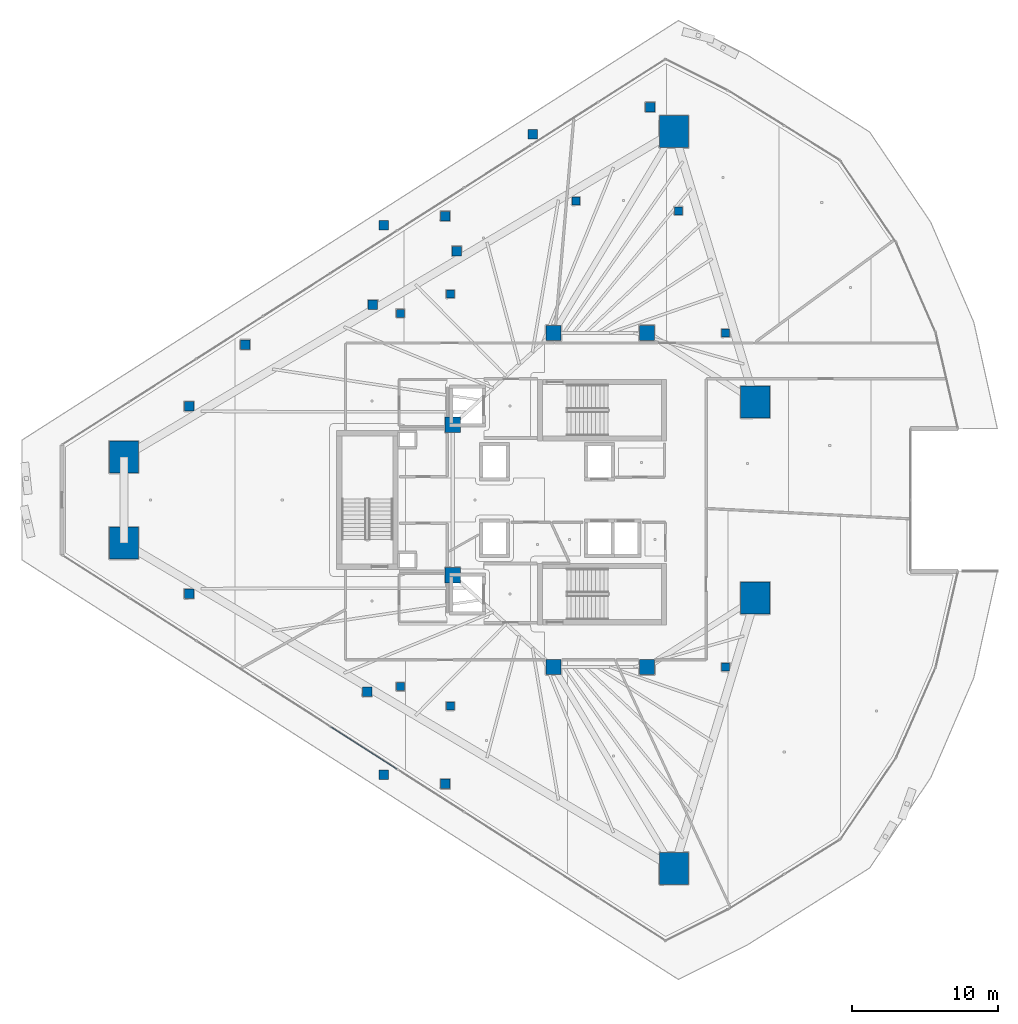
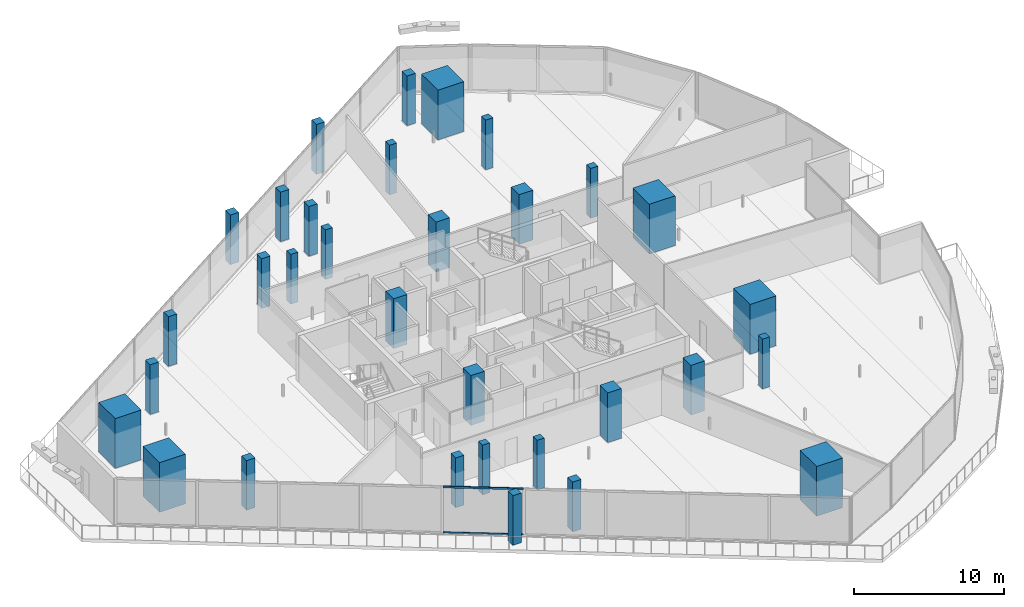
# One storey, part 1 of 38: 32 columns, 2 members, 1 element without a shape of its own.
"""IFC4 building model written with IfcOpenShell, lengths in metres."""

from ifc_helpers import new_model, si_unit, direction, frame, origin, origin_2d, place, context, subcontext, project, spatial, rectangle, hollow_rectangle, extrude, material, layer, layer_set, material_profile, profile_set, type_object, element, aggregate, save


model = new_model("IFC4")

# Units and contexts
model_context = context("Model", 3, precision=1e-05, world=origin(), true_north=direction((0.0, 1.0)))
body_context = subcontext(model_context, "Body", "Model", "MODEL_VIEW")
ifc_project = project(units=[si_unit("LENGTHUNIT", "METRE"), si_unit("AREAUNIT", "SQUARE_METRE"), si_unit("VOLUMEUNIT", "CUBIC_METRE"), si_unit("PLANEANGLEUNIT", "RADIAN"), si_unit("MASSUNIT", "GRAM", prefix="KILO")], contexts=[model_context])

# Site, building, storey
site_placement = place(None, origin())
site = spatial("IfcSite", under=ifc_project, at=site_placement, CompositionType="ELEMENT")
building_placement = place(site_placement, origin())
building = spatial("IfcBuilding", under=site, at=building_placement, Name="Qorvath Tower", CompositionType="ELEMENT")
storey_placement = place(building_placement, frame((0.0, 0.0, 134.10009765625)))
storey = spatial("IfcBuildingStorey", under=building, at=storey_placement, Name="L30", CompositionType="ELEMENT", Elevation=134.10009765625)

# Columns
ifc_material_1 = material(Name="Concrete C70/85", Category="concrete")
ifc_material_profile_1 = material_profile(ifc_material_1, rectangle(XDim=2.0, YDim=2.199951171875, at=origin_2d()), Name="MC 2200x2000")
ifc_profile_set_1 = profile_set([ifc_material_profile_1], Name="Concrete C70/85")
column_type_1 = type_object("IfcColumnType", Name="COL-MC2", PredefinedType="COLUMN", material=ifc_profile_set_1)
for number, where, z_axis, x_axis, name in (
    (1, (-53.04931640625, 2.95068359375, 0.0), (0.0, 0.0, 1.0), (1.0, 0.0, 0.0), "Composite Mega-Column MC1 L30"),
    (2, (-53.04931640625, -2.95068359375, 0.0), (0.0, 0.0, 1.0), (1.0, 0.0, 0.0), "Composite Mega-Column MC2 L30"),
    (3, (-15.34423828125, -25.24609375, 0.0), (0.0, 0.0, 1.0), (1.0, 0.0, 0.0), "Composite Mega-Column MC3 L30"),
    (4, (-9.770263671875, -6.721435546875, 0.0), (0.0, 0.0, 1.0), (1.0, 0.0, 0.0), "Composite Mega-Column MC4 L30"),
    (5, (-9.770263671875, 6.721435546875, 0.0), (0.0, 0.0, 1.0), (1.0, 0.0, 0.0), "Composite Mega-Column MC5 L30"),
    (6, (-15.34423828125, 25.24609375, 0.0), (0.0, 0.0, 1.0), (1.0, 0.0, 0.0), "Composite Mega-Column MC6 L30"),
):
    element("IfcColumn", number, at=place(storey_placement, frame(where, z_axis=z_axis, x_axis=x_axis)), inside=storey, type_object=column_type_1, Name=name, PredefinedType="COLUMN", context=body_context, shape_type="SweptSolid", body=[
        extrude(rectangle(XDim=2.0, YDim=2.199951171875, at=origin_2d()), origin(), (0.0, 0.0, 1.0), 4.0498046875),
    ])
ifc_material_2 = material(Name="Concrete C60/75", Category="concrete")
ifc_material_profile_2 = material_profile(ifc_material_2, rectangle(XDim=1.050048828125, YDim=1.050048828125, at=origin_2d()), Name="RC 1050x1050")
ifc_profile_set_2 = profile_set([ifc_material_profile_2], Name="Concrete C60/75")
column_type_2 = type_object("IfcColumnType", Name="COL-RC2", PredefinedType="COLUMN", material=ifc_profile_set_2)
for number, where, z_axis, x_axis, name in (
    (7, (-23.60009765625, 11.449951171875, 0.0), (0.0, 0.0, 1.0), (1.0, 0.0, 0.0), "Core Spine Column CC1 L30"),
    (8, (-17.199951171875, 11.449951171875, 0.0), (0.0, 0.0, 1.0), (1.0, 0.0, 0.0), "Core Spine Column CC2 L30"),
    (9, (-17.199951171875, -11.449951171875, 0.0), (0.0, 0.0, 1.0), (1.0, 0.0, 0.0), "Core Spine Column CC3 L30"),
    (10, (-23.60009765625, -11.449951171875, 0.0), (0.0, 0.0, 1.0), (1.0, 0.0, 0.0), "Core Spine Column CC4 L30"),
    (11, (-30.5, 5.14990234375, 0.0), (0.0, 0.0, 1.0), (1.0, 0.0, 0.0), "Core Spine Column CC5 L30"),
    (12, (-30.5, -5.14990234375, 0.0), (0.0, 0.0, 1.0), (1.0, 0.0, 0.0), "Core Spine Column CC6 L30"),
):
    element("IfcColumn", number, at=place(storey_placement, frame(where, z_axis=z_axis, x_axis=x_axis)), inside=storey, type_object=column_type_2, Name=name, PredefinedType="COLUMN", context=body_context, shape_type="SweptSolid", body=[
        extrude(rectangle(XDim=1.050048828125, YDim=1.050048828125, at=origin_2d()), origin(), (0.0, 0.0, 1.0), 4.0498046875),
    ])
ifc_material_3 = material(Name="Concrete C45/55", Category="concrete")
ifc_material_profile_3 = material_profile(ifc_material_3, rectangle(XDim=0.64990234375, YDim=0.64990234375, at=origin_2d()), Name="RC 650x650")
ifc_profile_set_3 = profile_set([ifc_material_profile_3], Name="Concrete C45/55")
column_type_3 = type_object("IfcColumnType", Name="COL-RC6", PredefinedType="COLUMN", material=ifc_profile_set_3)
for number, where, z_axis, x_axis, name in (
    (13, (-35.251708984375, 18.829345703125, 0.0), (0.0, 0.0, 1.0), (1.0, 0.0, 0.0), "Loggia Frame Pier Column LGC1 L30"),
    (14, (-35.251708984375, -18.829345703125, 0.0), (0.0, 0.0, 1.0), (1.0, 0.0, 0.0), "Loggia Frame Pier Column LGC2 L30"),
    (15, (-25.03759765625, 25.058837890625, 0.0), (0.0, 0.0, 1.0), (1.0, 0.0, 0.0), "Loggia Frame Pier Column LGC3 L30"),
    (16, (-31.01611328125, 19.46044921875, 0.0), (0.0, 0.0, 1.0), (1.0, 0.0, 0.0), "Loggia Frame Pier Column LGD1 L30"),
    (17, (-31.01611328125, -19.46044921875, 0.0), (0.0, 0.0, 1.0), (1.0, 0.0, 0.0), "Loggia Frame Pier Column LGD2 L30"),
    (18, (-44.736328125, 10.65234375, 0.0), (0.0, 0.0, 1.0), (1.0, 0.0, 0.0), "Loggia Frame Pier Column LGD3 L30"),
    (19, (-48.578369140625, 6.424560546875, 0.0), (0.0, 0.0, 1.0), (1.0, 0.0, 0.0), "Loggia Frame Pier Column LGE1 L30"),
    (20, (-48.578369140625, -6.424560546875, 0.0), (0.0, 0.0, 1.0), (1.0, 0.0, 0.0), "Loggia Frame Pier Column LGE2 L30"),
    (21, (-16.981201171875, 26.92919921875, 0.0), (0.0, 0.0, 1.0), (1.0, 0.0, 0.0), "Loggia Frame Pier Column LGE3 L30"),
    (22, (-35.980712890625, 13.380859375, 0.0), (0.0, 0.0, 1.0), (1.0, 0.0, 0.0), "Loggia Frame Pier Column LGF1 L30"),
    (23, (-36.36474609375, -13.135498046875, 0.0), (0.0, 0.0, 1.0), (1.0, 0.0, 0.0), "Loggia Frame Pier Column LGF2 L30"),
    (24, (-30.224853515625, 17.0595703125, 0.0), (0.0, 0.0, 1.0), (1.0, 0.0, 0.0), "Loggia Frame Pier Column LGF3 L30"),
):
    element("IfcColumn", number, at=place(storey_placement, frame(where, z_axis=z_axis, x_axis=x_axis)), inside=storey, type_object=column_type_3, Name=name, PredefinedType="COLUMN", context=body_context, shape_type="SweptSolid", body=[
        extrude(rectangle(XDim=0.64990234375, YDim=0.64990234375, at=origin_2d()), origin(), (0.0, 0.0, 1.0), 4.0498046875),
    ])
ifc_material_4 = material(Name="Concrete C45/55", Category="concrete")
ifc_material_profile_4 = material_profile(ifc_material_4, rectangle(XDim=0.550048828125, YDim=0.550048828125, at=origin_2d()), Name="RC 550x550")
ifc_profile_set_4 = profile_set([ifc_material_profile_4], Name="Concrete C45/55")
column_type_4 = type_object("IfcColumnType", Name="COL-RC7", PredefinedType="COLUMN", material=ifc_profile_set_4)
for number, where, z_axis, x_axis, name in (
    (25, (-34.104248046875, 12.79248046875, 0.0), (0.0, 0.0, 1.0), (1.0, 0.0, 0.0), "Loggia Frame Pier Column LGG1 L30"),
    (26, (-34.104248046875, -12.79248046875, 0.0), (0.0, 0.0, 1.0), (1.0, 0.0, 0.0), "Loggia Frame Pier Column LGG2 L30"),
    (27, (-22.05322265625, 20.494873046875, 0.0), (0.0, 0.0, 1.0), (1.0, 0.0, 0.0), "Loggia Frame Pier Column LGG3 L30"),
    (28, (-30.67724609375, 14.124267578125, 0.0), (0.0, 0.0, 1.0), (1.0, 0.0, 0.0), "Loggia Frame Pier Column LGH1 L30"),
    (29, (-30.67724609375, -14.124267578125, 0.0), (0.0, 0.0, 1.0), (1.0, 0.0, 0.0), "Loggia Frame Pier Column LGH2 L30"),
    (30, (-15.046142578125, 19.818115234375, 0.0), (0.0, 0.0, 1.0), (1.0, 0.0, 0.0), "Loggia Frame Pier Column LGH3 L30"),
    (31, (-11.800048828125, -11.449951171875, 0.0), (0.0, 0.0, 1.0), (1.0, 0.0, 0.0), "Central Slot Jamb Column SC1 L30"),
    (32, (-11.800048828125, 11.449951171875, 0.0), (0.0, 0.0, 1.0), (1.0, 0.0, 0.0), "Central Slot Jamb Column SC2 L30"),
):
    element("IfcColumn", number, at=place(storey_placement, frame(where, z_axis=z_axis, x_axis=x_axis)), inside=storey, type_object=column_type_4, Name=name, PredefinedType="COLUMN", context=body_context, shape_type="SweptSolid", body=[
        extrude(rectangle(XDim=0.550048828125, YDim=0.550048828125, at=origin_2d()), origin(), (0.0, 0.0, 1.0), 4.0498046875),
    ])

# Curtain wall, members
ifc_material_5 = material(Name="Anodised aluminium and triple low-E glass", Category="aluminium")
ifc_layer = layer(ifc_material_5, 0.179931640625)
ifc_layer_set = layer_set([ifc_layer], Name="CW-SYS-3")
curtain_wall_type = type_object("IfcCurtainWallType", Name="CW-SYS-3", PredefinedType="NOTDEFINED", material=ifc_layer_set)
curtain_wall_placement = place(storey_placement, origin())
curtain_wall = element("IfcCurtainWall", 33, at=curtain_wall_placement, inside=storey, type_object=curtain_wall_type, Name="Curtain Wall CW-3 CW-T-L30-2.1", PredefinedType="NOTDEFINED")
ifc_material_6 = material(Name="Anodised aluminium 6063-T6", Category="aluminium")
ifc_material_profile_5 = material_profile(ifc_material_6, hollow_rectangle(XDim=0.06494140625, YDim=0.159912109375, WallThickness=0.00341796875, InnerFilletRadius=0.00341796875, OuterFilletRadius=0.007080078125, at=origin_2d()), Name="CWT 160x65")
ifc_profile_set_5 = profile_set([ifc_material_profile_5], Name="Anodised aluminium 6063-T6")
member_type = type_object("IfcMemberType", Name="CWT-160", PredefinedType="USERDEFINED", material=ifc_profile_set_5)
member_1_placement = place(storey_placement, frame((-38.87890625, -15.540771484375, 0.032470703125), z_axis=(0.842602030071, -0.538536738691, 0.0), x_axis=(0.538536738691, 0.842602030071, 0.0)))
member_1 = element("IfcMember", 34, at=member_1_placement, type_object=member_type, Name="CW-3 transom 5.1", ObjectType="TRANSOM", PredefinedType="USERDEFINED", context=body_context, shape_type="SweptSolid", body=[
    extrude(hollow_rectangle(XDim=0.06494140625, YDim=0.159912109375, WallThickness=0.00341796875, InnerFilletRadius=0.00341796875, OuterFilletRadius=0.007080078125, at=origin_2d()), origin(), (0.0, 0.0, 1.0), 5.388427734375),
])
member_2_placement = place(storey_placement, frame((-38.87890625, -15.540771484375, 3.747314453125), z_axis=(0.842602030071, -0.538536738691, 0.0), x_axis=(0.538536738691, 0.842602030071, 0.0)))
member_2 = element("IfcMember", 35, at=member_2_placement, type_object=member_type, Name="CW-3 transom 5.2", ObjectType="TRANSOM", PredefinedType="USERDEFINED", context=body_context, shape_type="SweptSolid", body=[
    extrude(hollow_rectangle(XDim=0.06494140625, YDim=0.159912109375, WallThickness=0.00341796875, InnerFilletRadius=0.00341796875, OuterFilletRadius=0.007080078125, at=origin_2d()), origin(), (0.0, 0.0, 1.0), 5.388427734375),
])
aggregate(curtain_wall, [member_1, member_2])

save(model, "model.ifc")
